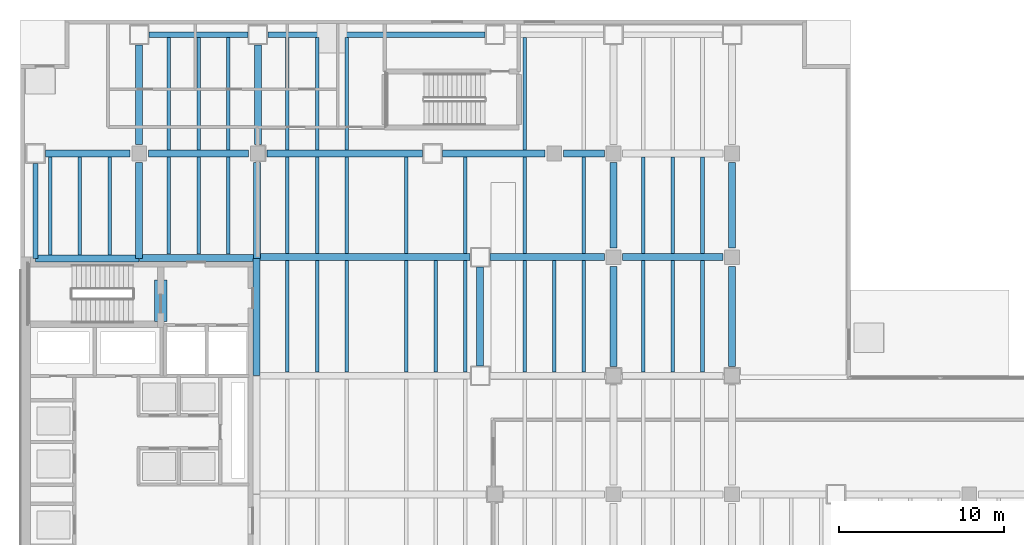
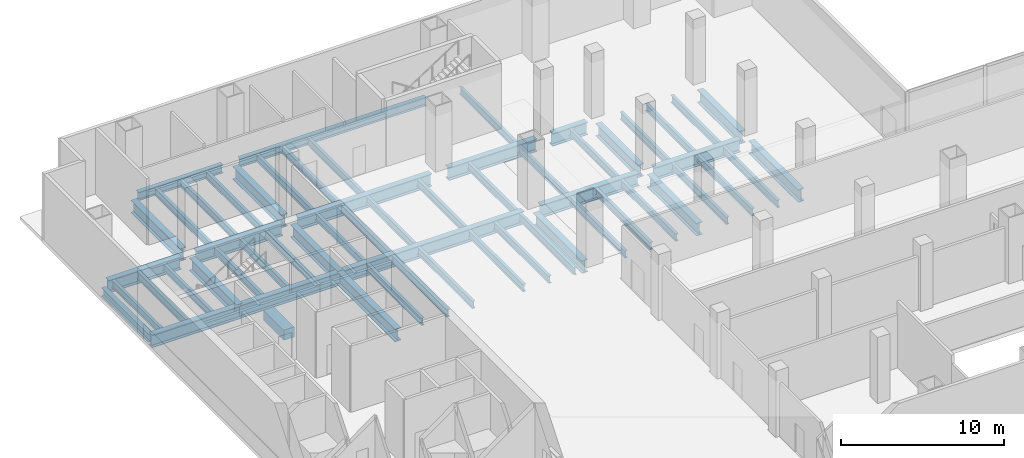
# One storey, part 4 of 17: 59 beams.
"""IFC4 building model written with IfcOpenShell, lengths in metres."""

from ifc_helpers import new_model, si_unit, direction, frame, origin, origin_2d, place, context, subcontext, project, spatial, rectangle, i_section, extrude, material, material_profile, profile_set, type_object, element, save


model = new_model("IFC4")

# Units and contexts
model_context = context("Model", 3, precision=1e-05, world=origin(), true_north=direction((0.0, 1.0)))
body_context = subcontext(model_context, "Body", "Model", "MODEL_VIEW")
ifc_project = project(units=[si_unit("LENGTHUNIT", "METRE"), si_unit("AREAUNIT", "SQUARE_METRE"), si_unit("VOLUMEUNIT", "CUBIC_METRE"), si_unit("PLANEANGLEUNIT", "RADIAN"), si_unit("MASSUNIT", "GRAM", prefix="KILO")], contexts=[model_context])

# Site, building, storey
site_placement = place(None, origin())
site = spatial("IfcSite", under=ifc_project, at=site_placement, CompositionType="ELEMENT")
building_placement = place(site_placement, origin())
building = spatial("IfcBuilding", under=site, at=building_placement, Name="Cobrela Telecom Tower", CompositionType="ELEMENT")
storey_placement = place(building_placement, origin())
storey = spatial("IfcBuildingStorey", under=building, at=storey_placement, Name="L00", CompositionType="ELEMENT", Elevation=0.0)

# Beams
ifc_material_1 = material(Name="Concrete C40/50", Category="concrete")
ifc_material_profile_1 = material_profile(ifc_material_1, rectangle(XDim=0.75, YDim=0.75, at=origin_2d()), Name="RC 750x750")
ifc_profile_set_1 = profile_set([ifc_material_profile_1], Name="Concrete C40/50")
beam_type_1 = type_object("IfcBeamType", Name="BM-COUP-RC", PredefinedType="LINTEL", material=ifc_profile_set_1)
beam_1_placement = place(storey_placement, frame((8.5, 32.10009765625, -0.64990234375), z_axis=(0.0, 1.0, 0.0), x_axis=(-1.0, 0.0, 0.0)))
element("IfcBeam", 1, at=beam_1_placement, inside=storey, type_object=beam_type_1, Name="L00 Core Coupling Lintel Beam", PredefinedType="LINTEL", context=body_context, shape_type="SweptSolid", body=[
    extrude(rectangle(XDim=0.75, YDim=0.75, at=origin_2d()), origin(), (0.0, 0.0, 1.0), 2.5),
])
ifc_material_2 = material(Name="Steel ASTM A992 Grade 50", Category="steel")
ifc_material_profile_2 = material_profile(ifc_material_2, i_section(OverallWidth=0.424072265625, OverallDepth=0.947021484375, WebThickness=0.02392578125, FlangeThickness=0.042724609375, FilletRadius=0.02392578125, at=origin_2d()), Name="W36X302")
ifc_profile_set_2 = profile_set([ifc_material_profile_2], Name="Steel ASTM A992 Grade 50")
beam_type_2 = type_object("IfcBeamType", Name="BM-GIRD-01", PredefinedType="USERDEFINED", material=ifc_profile_set_2)
beam_2_placement = place(storey_placement, frame((0.905029296875, 35.919921875, -0.7734375), z_axis=(1.0, 0.0, 0.0), x_axis=(0.0, 1.0, 0.0)))
element("IfcBeam", 2, at=beam_2_placement, inside=storey, type_object=beam_type_2, Name="L00 Primary Girder X35", ObjectType="GIRDER", PredefinedType="USERDEFINED", context=body_context, shape_type="SweptSolid", body=[
    extrude(i_section(OverallWidth=0.424072265625, OverallDepth=0.947021484375, WebThickness=0.02392578125, FlangeThickness=0.042724609375, FilletRadius=0.02392578125, at=origin_2d()), origin(), (0.0, 0.0, 1.0), 6.2900390625),
])
beam_3_placement = place(storey_placement, frame((7.205078125, 35.9599609375, -0.7734375), z_axis=(1.0, 0.0, 0.0), x_axis=(0.0, 1.0, 0.0)))
element("IfcBeam", 3, at=beam_3_placement, inside=storey, type_object=beam_type_2, Name="L00 Primary Girder X36", ObjectType="GIRDER", PredefinedType="USERDEFINED", context=body_context, shape_type="SweptSolid", body=[
    extrude(i_section(OverallWidth=0.424072265625, OverallDepth=0.947021484375, WebThickness=0.02392578125, FlangeThickness=0.042724609375, FilletRadius=0.02392578125, at=origin_2d()), origin(), (0.0, 0.0, 1.0), 7.10986328125),
])
beam_4_placement = place(storey_placement, frame((14.324951171875, 36.0, -0.7734375), z_axis=(1.0, 0.0, 0.0), x_axis=(0.0, 1.0, 0.0)))
element("IfcBeam", 4, at=beam_4_placement, inside=storey, type_object=beam_type_2, Name="L00 Primary Girder X37", ObjectType="GIRDER", PredefinedType="USERDEFINED", context=body_context, shape_type="SweptSolid", body=[
    extrude(i_section(OverallWidth=0.424072265625, OverallDepth=0.947021484375, WebThickness=0.02392578125, FlangeThickness=0.042724609375, FilletRadius=0.02392578125, at=origin_2d()), origin(), (0.0, 0.0, 1.0), 12.969970703125),
])
beam_5_placement = place(storey_placement, frame((28.5048828125, 36.0, -0.7734375), z_axis=(1.0, 0.0, 0.0), x_axis=(0.0, 1.0, 0.0)))
element("IfcBeam", 5, at=beam_5_placement, inside=storey, type_object=beam_type_2, Name="L00 Primary Girder X38", ObjectType="GIRDER", PredefinedType="USERDEFINED", context=body_context, shape_type="SweptSolid", body=[
    extrude(i_section(OverallWidth=0.424072265625, OverallDepth=0.947021484375, WebThickness=0.02392578125, FlangeThickness=0.042724609375, FilletRadius=0.02392578125, at=origin_2d()), origin(), (0.0, 0.0, 1.0), 6.940185546875),
])
beam_6_placement = place(storey_placement, frame((36.554931640625, 36.0, -0.7734375), z_axis=(1.0, 0.0, 0.0), x_axis=(0.0, 1.0, 0.0)))
element("IfcBeam", 6, at=beam_6_placement, inside=storey, type_object=beam_type_2, Name="L00 Primary Girder X39", ObjectType="GIRDER", PredefinedType="USERDEFINED", context=body_context, shape_type="SweptSolid", body=[
    extrude(i_section(OverallWidth=0.424072265625, OverallDepth=0.947021484375, WebThickness=0.02392578125, FlangeThickness=0.042724609375, FilletRadius=0.02392578125, at=origin_2d()), origin(), (0.0, 0.0, 1.0), 6.090087890625),
])
beam_7_placement = place(storey_placement, frame((1.5048828125, 42.300048828125, -0.7734375), z_axis=(1.0, 0.0, 0.0), x_axis=(0.0, 1.0, 0.0)))
element("IfcBeam", 7, at=beam_7_placement, inside=storey, type_object=beam_type_2, Name="L00 Primary Girder X40", ObjectType="GIRDER", PredefinedType="USERDEFINED", context=body_context, shape_type="SweptSolid", body=[
    extrude(i_section(OverallWidth=0.424072265625, OverallDepth=0.947021484375, WebThickness=0.02392578125, FlangeThickness=0.042724609375, FilletRadius=0.02392578125, at=origin_2d()), origin(), (0.0, 0.0, 1.0), 5.14013671875),
])
beam_8_placement = place(storey_placement, frame((7.7548828125, 42.300048828125, -0.7734375), z_axis=(1.0, 0.0, 0.0), x_axis=(0.0, 1.0, 0.0)))
element("IfcBeam", 8, at=beam_8_placement, inside=storey, type_object=beam_type_2, Name="L00 Primary Girder X41", ObjectType="GIRDER", PredefinedType="USERDEFINED", context=body_context, shape_type="SweptSolid", body=[
    extrude(i_section(OverallWidth=0.424072265625, OverallDepth=0.947021484375, WebThickness=0.02392578125, FlangeThickness=0.042724609375, FilletRadius=0.02392578125, at=origin_2d()), origin(), (0.0, 0.0, 1.0), 6.090087890625),
])
beam_9_placement = place(storey_placement, frame((14.955078125, 42.300048828125, -0.7734375), z_axis=(1.0, 0.0, 0.0), x_axis=(0.0, 1.0, 0.0)))
element("IfcBeam", 9, at=beam_9_placement, inside=storey, type_object=beam_type_2, Name="L00 Primary Girder X42", ObjectType="GIRDER", PredefinedType="USERDEFINED", context=body_context, shape_type="SweptSolid", body=[
    extrude(i_section(OverallWidth=0.424072265625, OverallDepth=0.947021484375, WebThickness=0.02392578125, FlangeThickness=0.042724609375, FilletRadius=0.02392578125, at=origin_2d()), origin(), (0.0, 0.0, 1.0), 9.43994140625),
])
beam_10_placement = place(storey_placement, frame((25.60498046875, 42.300048828125, -0.7734375), z_axis=(1.0, 0.0, 0.0), x_axis=(0.0, 1.0, 0.0)))
element("IfcBeam", 10, at=beam_10_placement, inside=storey, type_object=beam_type_2, Name="L00 Primary Girder X43", ObjectType="GIRDER", PredefinedType="USERDEFINED", context=body_context, shape_type="SweptSolid", body=[
    extrude(i_section(OverallWidth=0.424072265625, OverallDepth=0.947021484375, WebThickness=0.02392578125, FlangeThickness=0.042724609375, FilletRadius=0.02392578125, at=origin_2d()), origin(), (0.0, 0.0, 1.0), 6.239990234375),
])
beam_11_placement = place(storey_placement, frame((32.955078125, 42.300048828125, -0.7734375), z_axis=(1.0, 0.0, 0.0), x_axis=(0.0, 1.0, 0.0)))
element("IfcBeam", 11, at=beam_11_placement, inside=storey, type_object=beam_type_2, Name="L00 Primary Girder X44", ObjectType="GIRDER", PredefinedType="USERDEFINED", context=body_context, shape_type="SweptSolid", body=[
    extrude(i_section(OverallWidth=0.424072265625, OverallDepth=0.947021484375, WebThickness=0.02392578125, FlangeThickness=0.042724609375, FilletRadius=0.02392578125, at=origin_2d()), origin(), (0.0, 0.0, 1.0), 2.489990234375),
])
beam_12_placement = place(storey_placement, frame((7.199951171875, 35.925048828125, -0.7734375), z_axis=(0.0, 1.0, 0.0), x_axis=(-1.0, 0.0, 0.0)))
element("IfcBeam", 12, at=beam_12_placement, inside=storey, type_object=beam_type_2, Name="L00 Primary Girder Y52", ObjectType="GIRDER", PredefinedType="USERDEFINED", context=body_context, shape_type="SweptSolid", body=[
    extrude(i_section(OverallWidth=0.424072265625, OverallDepth=0.947021484375, WebThickness=0.02392578125, FlangeThickness=0.042724609375, FilletRadius=0.02392578125, at=origin_2d()), origin(), (0.0, 0.0, 1.0), 5.820068359375),
])
beam_13_placement = place(storey_placement, frame((7.199951171875, 42.85498046875, -0.7734375), z_axis=(0.0, 1.0, 0.0), x_axis=(-1.0, 0.0, 0.0)))
element("IfcBeam", 13, at=beam_13_placement, inside=storey, type_object=beam_type_2, Name="L00 Primary Girder Y53", ObjectType="GIRDER", PredefinedType="USERDEFINED", context=body_context, shape_type="SweptSolid", body=[
    extrude(i_section(OverallWidth=0.424072265625, OverallDepth=0.947021484375, WebThickness=0.02392578125, FlangeThickness=0.042724609375, FilletRadius=0.02392578125, at=origin_2d()), origin(), (0.0, 0.0, 1.0), 6.0400390625),
])
beam_14_placement = place(storey_placement, frame((14.320068359375, 28.804931640625, -0.7734375), z_axis=(0.0, 1.0, 0.0), x_axis=(-1.0, 0.0, 0.0)))
element("IfcBeam", 14, at=beam_14_placement, inside=storey, type_object=beam_type_2, Name="L00 Primary Girder Y58", ObjectType="GIRDER", PredefinedType="USERDEFINED", context=body_context, shape_type="SweptSolid", body=[
    extrude(i_section(OverallWidth=0.424072265625, OverallDepth=0.947021484375, WebThickness=0.02392578125, FlangeThickness=0.042724609375, FilletRadius=0.02392578125, at=origin_2d()), origin(), (0.0, 0.0, 1.0), 7.110107421875),
])
beam_15_placement = place(storey_placement, frame((14.360107421875, 35.925048828125, -0.7734375), z_axis=(0.0, 1.0, 0.0), x_axis=(-1.0, 0.0, 0.0)))
element("IfcBeam", 15, at=beam_15_placement, inside=storey, type_object=beam_type_2, Name="L00 Primary Girder Y59", ObjectType="GIRDER", PredefinedType="USERDEFINED", context=body_context, shape_type="SweptSolid", body=[
    extrude(i_section(OverallWidth=0.424072265625, OverallDepth=0.947021484375, WebThickness=0.02392578125, FlangeThickness=0.042724609375, FilletRadius=0.02392578125, at=origin_2d()), origin(), (0.0, 0.0, 1.0), 5.820068359375),
])
beam_16_placement = place(storey_placement, frame((14.39990234375, 42.85498046875, -0.7734375), z_axis=(0.0, 1.0, 0.0), x_axis=(-1.0, 0.0, 0.0)))
element("IfcBeam", 16, at=beam_16_placement, inside=storey, type_object=beam_type_2, Name="L00 Primary Girder Y60", ObjectType="GIRDER", PredefinedType="USERDEFINED", context=body_context, shape_type="SweptSolid", body=[
    extrude(i_section(OverallWidth=0.424072265625, OverallDepth=0.947021484375, WebThickness=0.02392578125, FlangeThickness=0.042724609375, FilletRadius=0.02392578125, at=origin_2d()), origin(), (0.0, 0.0, 1.0), 6.0400390625),
])
beam_17_placement = place(storey_placement, frame((27.89990234375, 29.405029296875, -0.7734375), z_axis=(0.0, 1.0, 0.0), x_axis=(-1.0, 0.0, 0.0)))
element("IfcBeam", 17, at=beam_17_placement, inside=storey, type_object=beam_type_2, Name="L00 Primary Girder Y61", ObjectType="GIRDER", PredefinedType="USERDEFINED", context=body_context, shape_type="SweptSolid", body=[
    extrude(i_section(OverallWidth=0.424072265625, OverallDepth=0.947021484375, WebThickness=0.02392578125, FlangeThickness=0.042724609375, FilletRadius=0.02392578125, at=origin_2d()), origin(), (0.0, 0.0, 1.0), 5.989990234375),
])
beam_18_placement = place(storey_placement, frame((36.0, 29.35498046875, -0.7734375), z_axis=(0.0, 1.0, 0.0), x_axis=(-1.0, 0.0, 0.0)))
element("IfcBeam", 18, at=beam_18_placement, inside=storey, type_object=beam_type_2, Name="L00 Primary Girder Y69", ObjectType="GIRDER", PredefinedType="USERDEFINED", context=body_context, shape_type="SweptSolid", body=[
    extrude(i_section(OverallWidth=0.424072265625, OverallDepth=0.947021484375, WebThickness=0.02392578125, FlangeThickness=0.042724609375, FilletRadius=0.02392578125, at=origin_2d()), origin(), (0.0, 0.0, 1.0), 6.090087890625),
])
beam_19_placement = place(storey_placement, frame((36.0, 36.554931640625, -0.7734375), z_axis=(0.0, 1.0, 0.0), x_axis=(-1.0, 0.0, 0.0)))
element("IfcBeam", 19, at=beam_19_placement, inside=storey, type_object=beam_type_2, Name="L00 Primary Girder Y70", ObjectType="GIRDER", PredefinedType="USERDEFINED", context=body_context, shape_type="SweptSolid", body=[
    extrude(i_section(OverallWidth=0.424072265625, OverallDepth=0.947021484375, WebThickness=0.02392578125, FlangeThickness=0.042724609375, FilletRadius=0.02392578125, at=origin_2d()), origin(), (0.0, 0.0, 1.0), 5.190185546875),
])
beam_20_placement = place(storey_placement, frame((43.199951171875, 29.35498046875, -0.7734375), z_axis=(0.0, 1.0, 0.0), x_axis=(-1.0, 0.0, 0.0)))
element("IfcBeam", 20, at=beam_20_placement, inside=storey, type_object=beam_type_2, Name="L00 Primary Girder Y74", ObjectType="GIRDER", PredefinedType="USERDEFINED", context=body_context, shape_type="SweptSolid", body=[
    extrude(i_section(OverallWidth=0.424072265625, OverallDepth=0.947021484375, WebThickness=0.02392578125, FlangeThickness=0.042724609375, FilletRadius=0.02392578125, at=origin_2d()), origin(), (0.0, 0.0, 1.0), 6.090087890625),
])
beam_21_placement = place(storey_placement, frame((43.199951171875, 36.554931640625, -0.7734375), z_axis=(0.0, 1.0, 0.0), x_axis=(-1.0, 0.0, 0.0)))
element("IfcBeam", 21, at=beam_21_placement, inside=storey, type_object=beam_type_2, Name="L00 Primary Girder Y75", ObjectType="GIRDER", PredefinedType="USERDEFINED", context=body_context, shape_type="SweptSolid", body=[
    extrude(i_section(OverallWidth=0.424072265625, OverallDepth=0.947021484375, WebThickness=0.02392578125, FlangeThickness=0.042724609375, FilletRadius=0.02392578125, at=origin_2d()), origin(), (0.0, 0.0, 1.0), 5.190185546875),
])
ifc_material_profile_3 = material_profile(ifc_material_2, i_section(OverallWidth=0.212890625, OverallDepth=0.549072265625, WebThickness=0.0146484375, FlangeThickness=0.023681640625, FilletRadius=0.013916015625, at=origin_2d()), Name="W21X93")
ifc_profile_set_3 = profile_set([ifc_material_profile_3], Name="Steel ASTM A992 Grade 50")
beam_type_3 = type_object("IfcBeamType", Name="BM-JOIST-01", PredefinedType="JOIST", material=ifc_profile_set_3)
for number, where, z_axis, x_axis, name in (
    (22, (1.800048828125, 36.136962890625, -0.574462890625), (0.0, 1.0, 0.0), (-1.0, 0.0, 0.0), "L00 Secondary Composite Floor Beam J01"),
    (23, (3.60009765625, 36.136962890625, -0.574462890625), (0.0, 1.0, 0.0), (-1.0, 0.0, 0.0), "L00 Secondary Composite Floor Beam J02"),
    (24, (5.39990234375, 36.136962890625, -0.574462890625), (0.0, 1.0, 0.0), (-1.0, 0.0, 0.0), "L00 Secondary Composite Floor Beam J03"),
):
    element("IfcBeam", number, at=place(storey_placement, frame(where, z_axis=z_axis, x_axis=x_axis)), inside=storey, type_object=beam_type_3, Name=name, PredefinedType="JOIST", context=body_context, shape_type="SweptSolid", body=[
        extrude(i_section(OverallWidth=0.212890625, OverallDepth=0.549072265625, WebThickness=0.0146484375, FlangeThickness=0.023681640625, FilletRadius=0.013916015625, at=origin_2d()), origin(), (0.0, 0.0, 1.0), 5.946044921875),
    ])
beam_22_placement = place(storey_placement, frame((9.0, 36.177001953125, -0.574462890625), z_axis=(0.0, 1.0, 0.0), x_axis=(-1.0, 0.0, 0.0)))
element("IfcBeam", 25, at=beam_22_placement, inside=storey, type_object=beam_type_3, Name="L00 Secondary Composite Floor Beam J05", PredefinedType="JOIST", context=body_context, shape_type="SweptSolid", body=[
    extrude(i_section(OverallWidth=0.212890625, OverallDepth=0.549072265625, WebThickness=0.0146484375, FlangeThickness=0.023681640625, FilletRadius=0.013916015625, at=origin_2d()), origin(), (0.0, 0.0, 1.0), 5.906005859375),
])
beam_23_placement = place(storey_placement, frame((9.0, 42.51708984375, -0.574462890625), z_axis=(0.0, 1.0, 0.0), x_axis=(-1.0, 0.0, 0.0)))
element("IfcBeam", 26, at=beam_23_placement, inside=storey, type_object=beam_type_3, Name="L00 Secondary Composite Floor Beam J06", PredefinedType="JOIST", context=body_context, shape_type="SweptSolid", body=[
    extrude(i_section(OverallWidth=0.212890625, OverallDepth=0.549072265625, WebThickness=0.0146484375, FlangeThickness=0.023681640625, FilletRadius=0.013916015625, at=origin_2d()), origin(), (0.0, 0.0, 1.0), 6.81396484375),
])
beam_24_placement = place(storey_placement, frame((10.800048828125, 36.177001953125, -0.574462890625), z_axis=(0.0, 1.0, 0.0), x_axis=(-1.0, 0.0, 0.0)))
element("IfcBeam", 27, at=beam_24_placement, inside=storey, type_object=beam_type_3, Name="L00 Secondary Composite Floor Beam J08", PredefinedType="JOIST", context=body_context, shape_type="SweptSolid", body=[
    extrude(i_section(OverallWidth=0.212890625, OverallDepth=0.549072265625, WebThickness=0.0146484375, FlangeThickness=0.023681640625, FilletRadius=0.013916015625, at=origin_2d()), origin(), (0.0, 0.0, 1.0), 5.906005859375),
])
beam_25_placement = place(storey_placement, frame((10.800048828125, 42.51708984375, -0.574462890625), z_axis=(0.0, 1.0, 0.0), x_axis=(-1.0, 0.0, 0.0)))
element("IfcBeam", 28, at=beam_25_placement, inside=storey, type_object=beam_type_3, Name="L00 Secondary Composite Floor Beam J09", PredefinedType="JOIST", context=body_context, shape_type="SweptSolid", body=[
    extrude(i_section(OverallWidth=0.212890625, OverallDepth=0.549072265625, WebThickness=0.0146484375, FlangeThickness=0.023681640625, FilletRadius=0.013916015625, at=origin_2d()), origin(), (0.0, 0.0, 1.0), 6.81396484375),
])
beam_26_placement = place(storey_placement, frame((12.60009765625, 36.177001953125, -0.574462890625), z_axis=(0.0, 1.0, 0.0), x_axis=(-1.0, 0.0, 0.0)))
element("IfcBeam", 29, at=beam_26_placement, inside=storey, type_object=beam_type_3, Name="L00 Secondary Composite Floor Beam J11", PredefinedType="JOIST", context=body_context, shape_type="SweptSolid", body=[
    extrude(i_section(OverallWidth=0.212890625, OverallDepth=0.549072265625, WebThickness=0.0146484375, FlangeThickness=0.023681640625, FilletRadius=0.013916015625, at=origin_2d()), origin(), (0.0, 0.0, 1.0), 5.906005859375),
])
beam_27_placement = place(storey_placement, frame((12.60009765625, 42.51708984375, -0.574462890625), z_axis=(0.0, 1.0, 0.0), x_axis=(-1.0, 0.0, 0.0)))
element("IfcBeam", 30, at=beam_27_placement, inside=storey, type_object=beam_type_3, Name="L00 Secondary Composite Floor Beam J12", PredefinedType="JOIST", context=body_context, shape_type="SweptSolid", body=[
    extrude(i_section(OverallWidth=0.212890625, OverallDepth=0.549072265625, WebThickness=0.0146484375, FlangeThickness=0.023681640625, FilletRadius=0.013916015625, at=origin_2d()), origin(), (0.0, 0.0, 1.0), 6.81396484375),
])
beam_28_placement = place(storey_placement, frame((16.199951171875, 29.01708984375, -0.574462890625), z_axis=(0.0, 1.0, 0.0), x_axis=(-1.0, 0.0, 0.0)))
element("IfcBeam", 31, at=beam_28_placement, inside=storey, type_object=beam_type_3, Name="L00 Secondary Composite Floor Beam J17", PredefinedType="JOIST", context=body_context, shape_type="SweptSolid", body=[
    extrude(i_section(OverallWidth=0.212890625, OverallDepth=0.549072265625, WebThickness=0.0146484375, FlangeThickness=0.023681640625, FilletRadius=0.013916015625, at=origin_2d()), origin(), (0.0, 0.0, 1.0), 6.765869140625),
])
beam_29_placement = place(storey_placement, frame((16.199951171875, 36.217041015625, -0.574462890625), z_axis=(0.0, 1.0, 0.0), x_axis=(-1.0, 0.0, 0.0)))
element("IfcBeam", 32, at=beam_29_placement, inside=storey, type_object=beam_type_3, Name="L00 Secondary Composite Floor Beam J18", PredefinedType="JOIST", context=body_context, shape_type="SweptSolid", body=[
    extrude(i_section(OverallWidth=0.212890625, OverallDepth=0.549072265625, WebThickness=0.0146484375, FlangeThickness=0.023681640625, FilletRadius=0.013916015625, at=origin_2d()), origin(), (0.0, 0.0, 1.0), 5.865966796875),
])
beam_30_placement = place(storey_placement, frame((16.199951171875, 42.51708984375, -0.574462890625), z_axis=(0.0, 1.0, 0.0), x_axis=(-1.0, 0.0, 0.0)))
element("IfcBeam", 33, at=beam_30_placement, inside=storey, type_object=beam_type_3, Name="L00 Secondary Composite Floor Beam J19", PredefinedType="JOIST", context=body_context, shape_type="SweptSolid", body=[
    extrude(i_section(OverallWidth=0.212890625, OverallDepth=0.549072265625, WebThickness=0.0146484375, FlangeThickness=0.023681640625, FilletRadius=0.013916015625, at=origin_2d()), origin(), (0.0, 0.0, 1.0), 6.81396484375),
])
beam_31_placement = place(storey_placement, frame((18.0, 29.01708984375, -0.574462890625), z_axis=(0.0, 1.0, 0.0), x_axis=(-1.0, 0.0, 0.0)))
element("IfcBeam", 34, at=beam_31_placement, inside=storey, type_object=beam_type_3, Name="L00 Secondary Composite Floor Beam J24", PredefinedType="JOIST", context=body_context, shape_type="SweptSolid", body=[
    extrude(i_section(OverallWidth=0.212890625, OverallDepth=0.549072265625, WebThickness=0.0146484375, FlangeThickness=0.023681640625, FilletRadius=0.013916015625, at=origin_2d()), origin(), (0.0, 0.0, 1.0), 6.765869140625),
])
beam_32_placement = place(storey_placement, frame((18.0, 36.217041015625, -0.574462890625), z_axis=(0.0, 1.0, 0.0), x_axis=(-1.0, 0.0, 0.0)))
element("IfcBeam", 35, at=beam_32_placement, inside=storey, type_object=beam_type_3, Name="L00 Secondary Composite Floor Beam J25", PredefinedType="JOIST", context=body_context, shape_type="SweptSolid", body=[
    extrude(i_section(OverallWidth=0.212890625, OverallDepth=0.549072265625, WebThickness=0.0146484375, FlangeThickness=0.023681640625, FilletRadius=0.013916015625, at=origin_2d()), origin(), (0.0, 0.0, 1.0), 5.865966796875),
])
beam_33_placement = place(storey_placement, frame((18.0, 42.51708984375, -0.574462890625), z_axis=(0.0, 1.0, 0.0), x_axis=(-1.0, 0.0, 0.0)))
element("IfcBeam", 36, at=beam_33_placement, inside=storey, type_object=beam_type_3, Name="L00 Secondary Composite Floor Beam J26", PredefinedType="JOIST", context=body_context, shape_type="SweptSolid", body=[
    extrude(i_section(OverallWidth=0.212890625, OverallDepth=0.549072265625, WebThickness=0.0146484375, FlangeThickness=0.023681640625, FilletRadius=0.013916015625, at=origin_2d()), origin(), (0.0, 0.0, 1.0), 6.81396484375),
])
beam_34_placement = place(storey_placement, frame((19.800048828125, 29.01708984375, -0.574462890625), z_axis=(0.0, 1.0, 0.0), x_axis=(-1.0, 0.0, 0.0)))
element("IfcBeam", 37, at=beam_34_placement, inside=storey, type_object=beam_type_3, Name="L00 Secondary Composite Floor Beam J31", PredefinedType="JOIST", context=body_context, shape_type="SweptSolid", body=[
    extrude(i_section(OverallWidth=0.212890625, OverallDepth=0.549072265625, WebThickness=0.0146484375, FlangeThickness=0.023681640625, FilletRadius=0.013916015625, at=origin_2d()), origin(), (0.0, 0.0, 1.0), 6.765869140625),
])
beam_35_placement = place(storey_placement, frame((19.800048828125, 36.217041015625, -0.574462890625), z_axis=(0.0, 1.0, 0.0), x_axis=(-1.0, 0.0, 0.0)))
element("IfcBeam", 38, at=beam_35_placement, inside=storey, type_object=beam_type_3, Name="L00 Secondary Composite Floor Beam J32", PredefinedType="JOIST", context=body_context, shape_type="SweptSolid", body=[
    extrude(i_section(OverallWidth=0.212890625, OverallDepth=0.549072265625, WebThickness=0.0146484375, FlangeThickness=0.023681640625, FilletRadius=0.013916015625, at=origin_2d()), origin(), (0.0, 0.0, 1.0), 5.865966796875),
])
beam_36_placement = place(storey_placement, frame((19.800048828125, 42.51708984375, -0.574462890625), z_axis=(0.0, 1.0, 0.0), x_axis=(-1.0, 0.0, 0.0)))
element("IfcBeam", 39, at=beam_36_placement, inside=storey, type_object=beam_type_3, Name="L00 Secondary Composite Floor Beam J33", PredefinedType="JOIST", context=body_context, shape_type="SweptSolid", body=[
    extrude(i_section(OverallWidth=0.212890625, OverallDepth=0.549072265625, WebThickness=0.0146484375, FlangeThickness=0.023681640625, FilletRadius=0.013916015625, at=origin_2d()), origin(), (0.0, 0.0, 1.0), 6.81396484375),
])
beam_37_placement = place(storey_placement, frame((23.39990234375, 29.01708984375, -0.574462890625), z_axis=(0.0, 1.0, 0.0), x_axis=(-1.0, 0.0, 0.0)))
element("IfcBeam", 40, at=beam_37_placement, inside=storey, type_object=beam_type_3, Name="L00 Secondary Composite Floor Beam J38", PredefinedType="JOIST", context=body_context, shape_type="SweptSolid", body=[
    extrude(i_section(OverallWidth=0.212890625, OverallDepth=0.549072265625, WebThickness=0.0146484375, FlangeThickness=0.023681640625, FilletRadius=0.013916015625, at=origin_2d()), origin(), (0.0, 0.0, 1.0), 6.765869140625),
])
beam_38_placement = place(storey_placement, frame((23.39990234375, 36.217041015625, -0.574462890625), z_axis=(0.0, 1.0, 0.0), x_axis=(-1.0, 0.0, 0.0)))
element("IfcBeam", 41, at=beam_38_placement, inside=storey, type_object=beam_type_3, Name="L00 Secondary Composite Floor Beam J39", PredefinedType="JOIST", context=body_context, shape_type="SweptSolid", body=[
    extrude(i_section(OverallWidth=0.212890625, OverallDepth=0.549072265625, WebThickness=0.0146484375, FlangeThickness=0.023681640625, FilletRadius=0.013916015625, at=origin_2d()), origin(), (0.0, 0.0, 1.0), 5.865966796875),
])
for number, where, z_axis, x_axis, name in (
    (42, (25.199951171875, 29.01708984375, -0.574462890625), (0.0, 1.0, 0.0), (-1.0, 0.0, 0.0), "L00 Secondary Composite Floor Beam J44"),
    (43, (27.0, 29.01708984375, -0.574462890625), (0.0, 1.0, 0.0), (-1.0, 0.0, 0.0), "L00 Secondary Composite Floor Beam J49"),
):
    element("IfcBeam", number, at=place(storey_placement, frame(where, z_axis=z_axis, x_axis=x_axis)), inside=storey, type_object=beam_type_3, Name=name, PredefinedType="JOIST", context=body_context, shape_type="SweptSolid", body=[
        extrude(i_section(OverallWidth=0.212890625, OverallDepth=0.549072265625, WebThickness=0.0146484375, FlangeThickness=0.023681640625, FilletRadius=0.013916015625, at=origin_2d()), origin(), (0.0, 0.0, 1.0), 6.765869140625),
    ])
beam_39_placement = place(storey_placement, frame((27.0, 36.217041015625, -0.574462890625), z_axis=(0.0, 1.0, 0.0), x_axis=(-1.0, 0.0, 0.0)))
element("IfcBeam", 44, at=beam_39_placement, inside=storey, type_object=beam_type_3, Name="L00 Secondary Composite Floor Beam J50", PredefinedType="JOIST", context=body_context, shape_type="SweptSolid", body=[
    extrude(i_section(OverallWidth=0.212890625, OverallDepth=0.549072265625, WebThickness=0.0146484375, FlangeThickness=0.023681640625, FilletRadius=0.013916015625, at=origin_2d()), origin(), (0.0, 0.0, 1.0), 5.865966796875),
])
beam_40_placement = place(storey_placement, frame((30.60009765625, 29.01708984375, -0.574462890625), z_axis=(0.0, 1.0, 0.0), x_axis=(-1.0, 0.0, 0.0)))
element("IfcBeam", 45, at=beam_40_placement, inside=storey, type_object=beam_type_3, Name="L00 Secondary Composite Floor Beam J55", PredefinedType="JOIST", context=body_context, shape_type="SweptSolid", body=[
    extrude(i_section(OverallWidth=0.212890625, OverallDepth=0.549072265625, WebThickness=0.0146484375, FlangeThickness=0.023681640625, FilletRadius=0.013916015625, at=origin_2d()), origin(), (0.0, 0.0, 1.0), 6.765869140625),
])
beam_41_placement = place(storey_placement, frame((30.60009765625, 36.217041015625, -0.574462890625), z_axis=(0.0, 1.0, 0.0), x_axis=(-1.0, 0.0, 0.0)))
element("IfcBeam", 46, at=beam_41_placement, inside=storey, type_object=beam_type_3, Name="L00 Secondary Composite Floor Beam J56", PredefinedType="JOIST", context=body_context, shape_type="SweptSolid", body=[
    extrude(i_section(OverallWidth=0.212890625, OverallDepth=0.549072265625, WebThickness=0.0146484375, FlangeThickness=0.023681640625, FilletRadius=0.013916015625, at=origin_2d()), origin(), (0.0, 0.0, 1.0), 5.865966796875),
])
beam_42_placement = place(storey_placement, frame((30.60009765625, 42.51708984375, -0.574462890625), z_axis=(0.0, 1.0, 0.0), x_axis=(-1.0, 0.0, 0.0)))
element("IfcBeam", 47, at=beam_42_placement, inside=storey, type_object=beam_type_3, Name="L00 Secondary Composite Floor Beam J57", PredefinedType="JOIST", context=body_context, shape_type="SweptSolid", body=[
    extrude(i_section(OverallWidth=0.212890625, OverallDepth=0.549072265625, WebThickness=0.0146484375, FlangeThickness=0.023681640625, FilletRadius=0.013916015625, at=origin_2d()), origin(), (0.0, 0.0, 1.0), 6.81396484375),
])
for number, where, z_axis, x_axis, name in (
    (48, (32.39990234375, 29.01708984375, -0.574462890625), (0.0, 1.0, 0.0), (-1.0, 0.0, 0.0), "L00 Secondary Composite Floor Beam J62"),
    (49, (34.199951171875, 29.01708984375, -0.574462890625), (0.0, 1.0, 0.0), (-1.0, 0.0, 0.0), "L00 Secondary Composite Floor Beam J67"),
):
    element("IfcBeam", number, at=place(storey_placement, frame(where, z_axis=z_axis, x_axis=x_axis)), inside=storey, type_object=beam_type_3, Name=name, PredefinedType="JOIST", context=body_context, shape_type="SweptSolid", body=[
        extrude(i_section(OverallWidth=0.212890625, OverallDepth=0.549072265625, WebThickness=0.0146484375, FlangeThickness=0.023681640625, FilletRadius=0.013916015625, at=origin_2d()), origin(), (0.0, 0.0, 1.0), 6.765869140625),
    ])
beam_43_placement = place(storey_placement, frame((34.199951171875, 36.217041015625, -0.574462890625), z_axis=(0.0, 1.0, 0.0), x_axis=(-1.0, 0.0, 0.0)))
element("IfcBeam", 50, at=beam_43_placement, inside=storey, type_object=beam_type_3, Name="L00 Secondary Composite Floor Beam J68", PredefinedType="JOIST", context=body_context, shape_type="SweptSolid", body=[
    extrude(i_section(OverallWidth=0.212890625, OverallDepth=0.549072265625, WebThickness=0.0146484375, FlangeThickness=0.023681640625, FilletRadius=0.013916015625, at=origin_2d()), origin(), (0.0, 0.0, 1.0), 5.865966796875),
])
beam_44_placement = place(storey_placement, frame((37.800048828125, 29.01708984375, -0.574462890625), z_axis=(0.0, 1.0, 0.0), x_axis=(-1.0, 0.0, 0.0)))
element("IfcBeam", 51, at=beam_44_placement, inside=storey, type_object=beam_type_3, Name="L00 Secondary Composite Floor Beam J73", PredefinedType="JOIST", context=body_context, shape_type="SweptSolid", body=[
    extrude(i_section(OverallWidth=0.212890625, OverallDepth=0.549072265625, WebThickness=0.0146484375, FlangeThickness=0.023681640625, FilletRadius=0.013916015625, at=origin_2d()), origin(), (0.0, 0.0, 1.0), 6.765869140625),
])
beam_45_placement = place(storey_placement, frame((37.800048828125, 36.217041015625, -0.574462890625), z_axis=(0.0, 1.0, 0.0), x_axis=(-1.0, 0.0, 0.0)))
element("IfcBeam", 52, at=beam_45_placement, inside=storey, type_object=beam_type_3, Name="L00 Secondary Composite Floor Beam J74", PredefinedType="JOIST", context=body_context, shape_type="SweptSolid", body=[
    extrude(i_section(OverallWidth=0.212890625, OverallDepth=0.549072265625, WebThickness=0.0146484375, FlangeThickness=0.023681640625, FilletRadius=0.013916015625, at=origin_2d()), origin(), (0.0, 0.0, 1.0), 5.865966796875),
])
beam_46_placement = place(storey_placement, frame((39.60009765625, 29.01708984375, -0.574462890625), z_axis=(0.0, 1.0, 0.0), x_axis=(-1.0, 0.0, 0.0)))
element("IfcBeam", 53, at=beam_46_placement, inside=storey, type_object=beam_type_3, Name="L00 Secondary Composite Floor Beam J78", PredefinedType="JOIST", context=body_context, shape_type="SweptSolid", body=[
    extrude(i_section(OverallWidth=0.212890625, OverallDepth=0.549072265625, WebThickness=0.0146484375, FlangeThickness=0.023681640625, FilletRadius=0.013916015625, at=origin_2d()), origin(), (0.0, 0.0, 1.0), 6.765869140625),
])
beam_47_placement = place(storey_placement, frame((39.60009765625, 36.217041015625, -0.574462890625), z_axis=(0.0, 1.0, 0.0), x_axis=(-1.0, 0.0, 0.0)))
element("IfcBeam", 54, at=beam_47_placement, inside=storey, type_object=beam_type_3, Name="L00 Secondary Composite Floor Beam J79", PredefinedType="JOIST", context=body_context, shape_type="SweptSolid", body=[
    extrude(i_section(OverallWidth=0.212890625, OverallDepth=0.549072265625, WebThickness=0.0146484375, FlangeThickness=0.023681640625, FilletRadius=0.013916015625, at=origin_2d()), origin(), (0.0, 0.0, 1.0), 5.865966796875),
])
beam_48_placement = place(storey_placement, frame((41.39990234375, 29.01708984375, -0.574462890625), z_axis=(0.0, 1.0, 0.0), x_axis=(-1.0, 0.0, 0.0)))
element("IfcBeam", 55, at=beam_48_placement, inside=storey, type_object=beam_type_3, Name="L00 Secondary Composite Floor Beam J83", PredefinedType="JOIST", context=body_context, shape_type="SweptSolid", body=[
    extrude(i_section(OverallWidth=0.212890625, OverallDepth=0.549072265625, WebThickness=0.0146484375, FlangeThickness=0.023681640625, FilletRadius=0.013916015625, at=origin_2d()), origin(), (0.0, 0.0, 1.0), 6.765869140625),
])
beam_49_placement = place(storey_placement, frame((41.39990234375, 36.217041015625, -0.574462890625), z_axis=(0.0, 1.0, 0.0), x_axis=(-1.0, 0.0, 0.0)))
element("IfcBeam", 56, at=beam_49_placement, inside=storey, type_object=beam_type_3, Name="L00 Secondary Composite Floor Beam J84", PredefinedType="JOIST", context=body_context, shape_type="SweptSolid", body=[
    extrude(i_section(OverallWidth=0.212890625, OverallDepth=0.549072265625, WebThickness=0.0146484375, FlangeThickness=0.023681640625, FilletRadius=0.013916015625, at=origin_2d()), origin(), (0.0, 0.0, 1.0), 5.865966796875),
])
ifc_material_profile_4 = material_profile(ifc_material_2, i_section(OverallWidth=0.327880859375, OverallDepth=0.6220703125, WebThickness=0.015380859375, FlangeThickness=0.0244140625, FilletRadius=0.014892578125, at=origin_2d()), Name="W24X131")
ifc_profile_set_4 = profile_set([ifc_material_profile_4], Name="Steel ASTM A992 Grade 50")
beam_type_4 = type_object("IfcBeamType", Name="BM-SPAND-01", PredefinedType="SPANDREL", material=ifc_profile_set_4)
beam_50_placement = place(storey_placement, frame((7.804931640625, 49.5, -0.611083984375), z_axis=(1.0, 0.0, 0.0), x_axis=(0.0, 1.0, 0.0)))
element("IfcBeam", 57, at=beam_50_placement, inside=storey, type_object=beam_type_4, Name="L00 Perimeter Spandrel X46", PredefinedType="SPANDREL", context=body_context, shape_type="SweptSolid", body=[
    extrude(i_section(OverallWidth=0.327880859375, OverallDepth=0.6220703125, WebThickness=0.015380859375, FlangeThickness=0.0244140625, FilletRadius=0.014892578125, at=origin_2d()), origin(), (0.0, 0.0, 1.0), 5.989990234375),
])
beam_51_placement = place(storey_placement, frame((15.0048828125, 49.5, -0.611083984375), z_axis=(1.0, 0.0, 0.0), x_axis=(0.0, 1.0, 0.0)))
element("IfcBeam", 58, at=beam_51_placement, inside=storey, type_object=beam_type_4, Name="L00 Perimeter Spandrel X47", PredefinedType="SPANDREL", context=body_context, shape_type="SweptSolid", body=[
    extrude(i_section(OverallWidth=0.327880859375, OverallDepth=0.6220703125, WebThickness=0.015380859375, FlangeThickness=0.0244140625, FilletRadius=0.014892578125, at=origin_2d()), origin(), (0.0, 0.0, 1.0), 13.190185546875),
])
beam_52_placement = place(storey_placement, frame((0.89990234375, 35.925048828125, -0.611083984375), z_axis=(0.0, 1.0, 0.0), x_axis=(-1.0, 0.0, 0.0)))
element("IfcBeam", 59, at=beam_52_placement, inside=storey, type_object=beam_type_4, Name="L00 Perimeter Spandrel Y50", PredefinedType="SPANDREL", context=body_context, shape_type="SweptSolid", body=[
    extrude(i_section(OverallWidth=0.327880859375, OverallDepth=0.6220703125, WebThickness=0.015380859375, FlangeThickness=0.0244140625, FilletRadius=0.014892578125, at=origin_2d()), origin(), (0.0, 0.0, 1.0), 5.77001953125),
])

save(model, "model.ifc")
